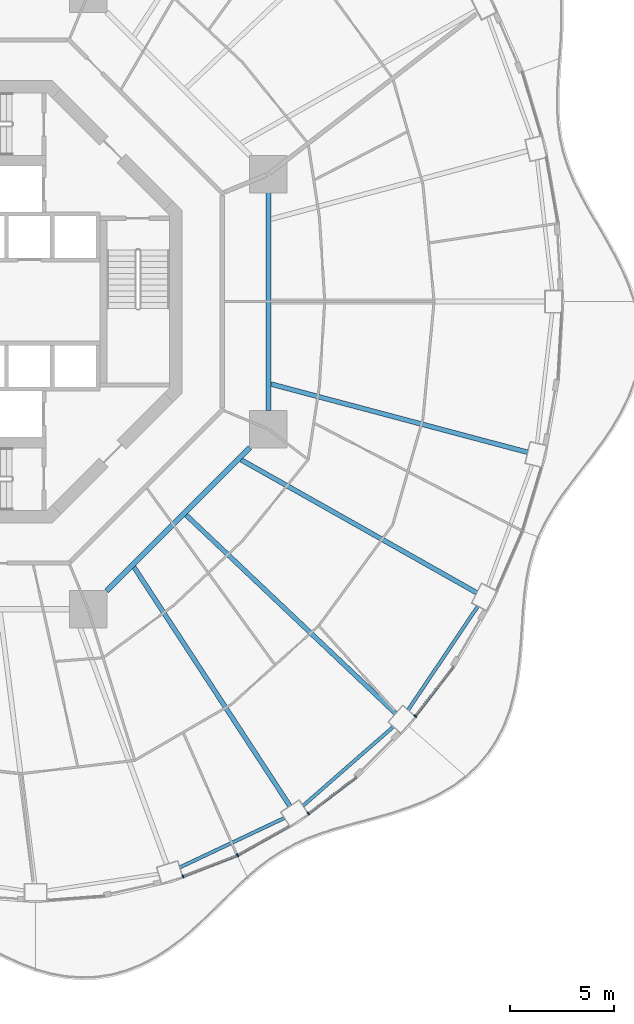
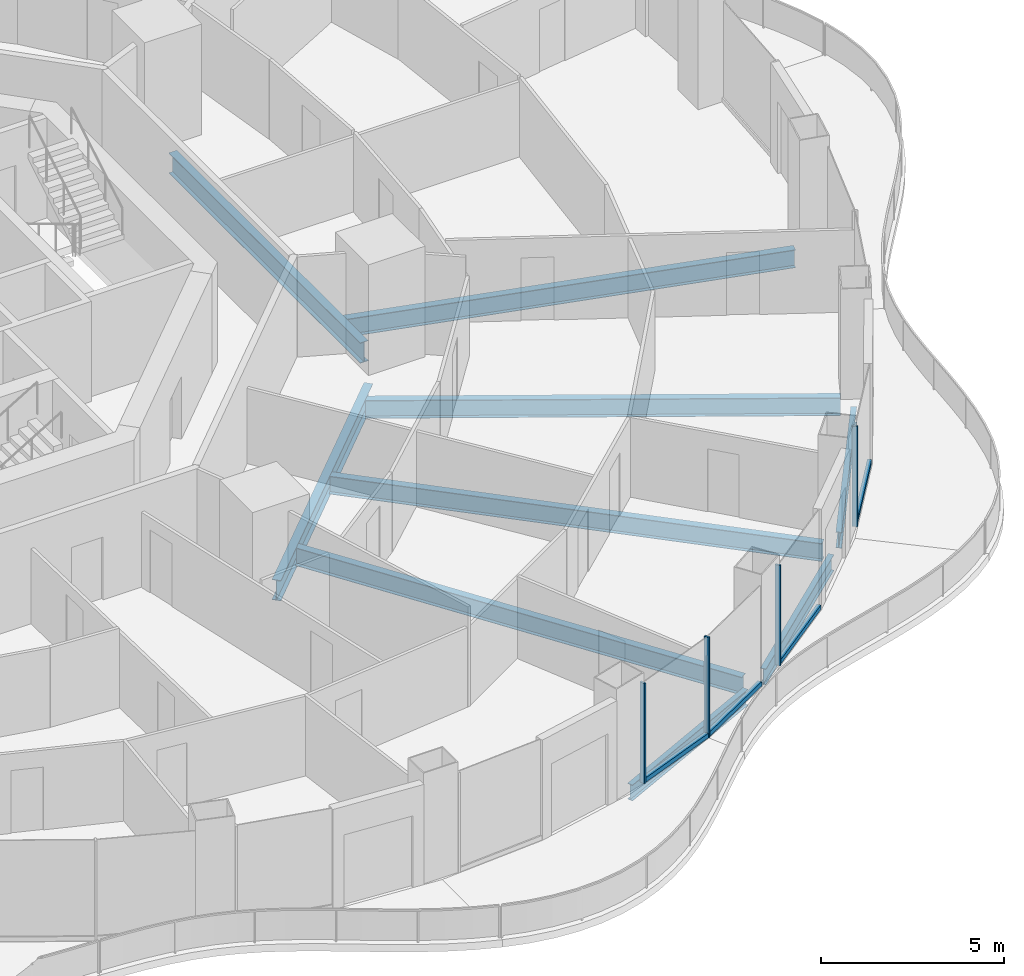
# One storey, part 4 of 19: 9 beams, 8 members, 4 elements without a shape of their own.
"""IFC4 building model written with IfcOpenShell, lengths in metres."""

from ifc_helpers import new_model, si_unit, direction, frame, origin, origin_2d, place, context, subcontext, project, spatial, rectangle, i_section, extrude, material, layer, layer_set, material_profile, profile_set, type_object, element, aggregate, save


model = new_model("IFC4")

# Units and contexts
model_context = context("Model", 3, precision=1e-05, world=origin(), true_north=direction((0.0, 1.0)))
body_context = subcontext(model_context, "Body", "Model", "MODEL_VIEW")
ifc_project = project(units=[si_unit("LENGTHUNIT", "METRE"), si_unit("AREAUNIT", "SQUARE_METRE"), si_unit("VOLUMEUNIT", "CUBIC_METRE"), si_unit("PLANEANGLEUNIT", "RADIAN"), si_unit("MASSUNIT", "GRAM", prefix="KILO")], contexts=[model_context])

# Site, building, storey
site_placement = place(None, origin())
site = spatial("IfcSite", under=ifc_project, at=site_placement, CompositionType="ELEMENT")
building_placement = place(site_placement, origin())
building = spatial("IfcBuilding", under=site, at=building_placement, Name="Nagisa Residences", CompositionType="ELEMENT")
storey_placement = place(building_placement, frame((0.0, 0.0, 202.89990234375)))
storey = spatial("IfcBuildingStorey", under=building, at=storey_placement, Name="L51", CompositionType="ELEMENT", Elevation=202.89990234375)

# Curtain wall, member
ifc_material_1 = material(Name="Concrete-coloured aluminium curtain wall system", Category="concrete")
ifc_layer = layer(ifc_material_1, 0.159912109375)
ifc_layer_set = layer_set([ifc_layer], Name="CW1 CURTAIN WALL")
curtain_wall_type = type_object("IfcCurtainWallType", Name="CW1 CURTAIN WALL", PredefinedType="NOTDEFINED", material=ifc_layer_set)
curtain_wall_1_placement = place(storey_placement, origin())
curtain_wall_1 = element("IfcCurtainWall", 1, at=curtain_wall_1_placement, inside=storey, type_object=curtain_wall_type, Name="cw:CW1:L51:38", PredefinedType="NOTDEFINED")
ifc_material_2 = material(Name="Concrete-coloured aluminium", Category="concrete")
ifc_material_profile_1 = material_profile(ifc_material_2, rectangle(XDim=0.159912109375, YDim=0.06005859375, at=origin_2d()), Name="CW1 MULLION 160x60")
ifc_profile_set_1 = profile_set([ifc_material_profile_1], Name="Concrete-coloured aluminium")
member_type_1 = type_object("IfcMemberType", Name="CW1 MULLION 160x60", PredefinedType="MULLION", material=ifc_profile_set_1)
member_1_placement = place(storey_placement, frame((10.6796875, -27.607421875, 0.0), z_axis=(0.0, 0.0, 1.0), x_axis=(-0.360327770268, 0.932825759707, 0.0)))
member_1 = element("IfcMember", 2, at=member_1_placement, type_object=member_type_1, Name="CW1 mullion", PredefinedType="MULLION", context=body_context, shape_type="SweptSolid", body=[
    extrude(rectangle(XDim=0.159912109375, YDim=0.06005859375, at=origin_2d()), origin(), (0.0, 0.0, 1.0), 3.35009765625),
])

curtain_wall_2_placement = place(storey_placement, origin())
curtain_wall_2 = element("IfcCurtainWall", 3, at=curtain_wall_2_placement, inside=storey, type_object=curtain_wall_type, Name="cw:CW1:L51:39", PredefinedType="NOTDEFINED")
member_2_placement = place(storey_placement, frame((13.297607421875, -26.592529296875, 0.0), z_axis=(0.0, 0.0, 1.0), x_axis=(-0.489376918501, 0.872072377523, 0.0)))
member_2 = element("IfcMember", 4, at=member_2_placement, type_object=member_type_1, Name="CW1 mullion", PredefinedType="MULLION", context=body_context, shape_type="SweptSolid", body=[
    extrude(rectangle(XDim=0.159912109375, YDim=0.06005859375, at=origin_2d()), origin(), (0.0, 0.0, 1.0), 3.35009765625),
])

curtain_wall_3_placement = place(storey_placement, origin())
curtain_wall_3 = element("IfcCurtainWall", 5, at=curtain_wall_3_placement, inside=storey, type_object=curtain_wall_type, Name="cw:CW1:L51:40", PredefinedType="NOTDEFINED")
member_3_placement = place(storey_placement, frame((16.70068359375, -24.591796875, 0.0), z_axis=(0.0, 0.0, 1.0), x_axis=(-0.605255421737, 0.79603132756, 0.0)))
member_3 = element("IfcMember", 6, at=member_3_placement, type_object=member_type_1, Name="CW1 mullion", PredefinedType="MULLION", context=body_context, shape_type="SweptSolid", body=[
    extrude(rectangle(XDim=0.159912109375, YDim=0.06005859375, at=origin_2d()), origin(), (0.0, 0.0, 1.0), 3.35009765625),
])

curtain_wall_4_placement = place(storey_placement, origin())
curtain_wall_4 = element("IfcCurtainWall", 7, at=curtain_wall_4_placement, inside=storey, type_object=curtain_wall_type, Name="cw:CW1:L51:42", PredefinedType="NOTDEFINED")
member_4_placement = place(storey_placement, frame((21.83349609375, -19.909423828125, 0.0), z_axis=(0.0, 0.0, 1.0), x_axis=(-0.792070340816, 0.610429828235, 0.0)))
member_4 = element("IfcMember", 8, at=member_4_placement, type_object=member_type_1, Name="CW1 mullion", PredefinedType="MULLION", context=body_context, shape_type="SweptSolid", body=[
    extrude(rectangle(XDim=0.159912109375, YDim=0.06005859375, at=origin_2d()), origin(), (0.0, 0.0, 1.0), 3.35009765625),
])

# Member
ifc_material_3 = material(Name="Concrete-coloured aluminium", Category="concrete")
ifc_material_profile_2 = material_profile(ifc_material_3, rectangle(XDim=0.1201171875, YDim=0.14990234375, at=origin_2d()), Name="CW1 TRANSOM 120x150")
ifc_profile_set_2 = profile_set([ifc_material_profile_2], Name="Concrete-coloured aluminium")
member_type_2 = type_object("IfcMemberType", Name="CW1 TRANSOM 120x150", PredefinedType="USERDEFINED", material=ifc_profile_set_2)
member_5_placement = place(storey_placement, frame((10.65185546875, -27.618408203125, 0.0751953125), z_axis=(0.932795487898, 0.360406128911, 0.0), x_axis=(-0.360406128911, 0.932795487898, 0.0)))
member_5 = element("IfcMember", 9, at=member_5_placement, type_object=member_type_2, Name="CW1 transom", ObjectType="TRANSOM", PredefinedType="USERDEFINED", context=body_context, shape_type="SweptSolid", body=[
    extrude(rectangle(XDim=0.1201171875, YDim=0.14990234375, at=origin_2d()), origin(), (0.0, 0.0, 1.0), 2.8193359375),
])

aggregate(curtain_wall_1, [member_1, member_5])

member_6_placement = place(storey_placement, frame((13.271484375, -26.607177734375, 0.0751953125), z_axis=(0.872078262455, 0.489366431371, 0.0), x_axis=(-0.489366431371, 0.872078262455, 0.0)))
member_6 = element("IfcMember", 10, at=member_6_placement, type_object=member_type_2, Name="CW1 transom", ObjectType="TRANSOM", PredefinedType="USERDEFINED", context=body_context, shape_type="SweptSolid", body=[
    extrude(rectangle(XDim=0.1201171875, YDim=0.14990234375, at=origin_2d()), origin(), (0.0, 0.0, 1.0), 2.863525390625),
])

aggregate(curtain_wall_2, [member_2, member_6])

member_7_placement = place(storey_placement, frame((16.677001953125, -24.60986328125, 0.0751953125), z_axis=(0.796025072301, 0.60526364856, 0.0), x_axis=(-0.60526364856, 0.796025072301, 0.0)))
member_7 = element("IfcMember", 11, at=member_7_placement, type_object=member_type_2, Name="CW1 transom", ObjectType="TRANSOM", PredefinedType="USERDEFINED", context=body_context, shape_type="SweptSolid", body=[
    extrude(rectangle(XDim=0.1201171875, YDim=0.14990234375, at=origin_2d()), origin(), (0.0, 0.0, 1.0), 2.916748046875),
])

aggregate(curtain_wall_3, [member_3, member_7])

member_8_placement = place(storey_placement, frame((21.815185546875, -19.933349609375, 0.0751953125), z_axis=(0.610398538814, 0.792094453846, 0.0), x_axis=(-0.792094453846, 0.610398538814, 0.0)))
member_8 = element("IfcMember", 12, at=member_8_placement, type_object=member_type_2, Name="CW1 transom", ObjectType="TRANSOM", PredefinedType="USERDEFINED", context=body_context, shape_type="SweptSolid", body=[
    extrude(rectangle(XDim=0.1201171875, YDim=0.14990234375, at=origin_2d()), origin(), (0.0, 0.0, 1.0), 3.035400390625),
])

aggregate(curtain_wall_4, [member_4, member_8])

# Beams
ifc_material_4 = material(Name="Steel ASTM A572 Gr 50", Category="steel")
ifc_material_profile_3 = material_profile(ifc_material_4, i_section(OverallWidth=0.25390625, OverallDepth=0.68408203125, WebThickness=0.012451171875, FlangeThickness=0.018798828125, at=origin_2d()), Name="W690x140")
ifc_profile_set_3 = profile_set([ifc_material_profile_3], Name="Steel ASTM A572 Gr 50")
beam_type_1 = type_object("IfcBeamType", Name="Inner ring beam W690x140", PredefinedType="BEAM", material=ifc_profile_set_3)
beam_1_placement = place(storey_placement, frame((7.0087890625, -13.896240234375, -0.601806640625), z_axis=(0.707106781187, 0.707106781187, 0.0), x_axis=(-0.707106781187, 0.707106781187, 0.0)))
element("IfcBeam", 13, at=beam_1_placement, inside=storey, type_object=beam_type_1, Name="beam:L51:ib7", PredefinedType="BEAM", context=body_context, shape_type="SweptSolid", body=[
    extrude(i_section(OverallWidth=0.25390625, OverallDepth=0.68408203125, WebThickness=0.012451171875, FlangeThickness=0.018798828125, at=origin_2d()), origin(), (0.0, 0.0, 1.0), 9.740234375),
])
beam_2_placement = place(storey_placement, frame((14.781982421875, -5.242919921875, -0.601806640625), z_axis=(0.0, 1.0, 0.0), x_axis=(-1.0, 0.0, 0.0)))
element("IfcBeam", 14, at=beam_2_placement, inside=storey, type_object=beam_type_1, Name="beam:L51:ib8", PredefinedType="BEAM", context=body_context, shape_type="SweptSolid", body=[
    extrude(i_section(OverallWidth=0.25390625, OverallDepth=0.68408203125, WebThickness=0.012451171875, FlangeThickness=0.018798828125, at=origin_2d()), origin(), (0.0, 0.0, 1.0), 10.48583984375),
])
ifc_material_5 = material(Name="Steel ASTM A572 Gr 50", Category="steel")
ifc_material_profile_4 = material_profile(ifc_material_5, i_section(OverallWidth=0.166015625, OverallDepth=0.534912109375, WebThickness=0.01025390625, FlangeThickness=0.0166015625, at=origin_2d()), Name="W530x85")
ifc_profile_set_4 = profile_set([ifc_material_profile_4], Name="Steel ASTM A572 Gr 50")
beam_type_2 = type_object("IfcBeamType", Name="Perimeter ring beam W530x85", PredefinedType="BEAM", material=ifc_profile_set_4)
beam_3_placement = place(storey_placement, frame((10.522705078125, -27.17919921875, -0.52734375), z_axis=(0.904157325884, 0.427199637232, 0.0), x_axis=(-0.427199637232, 0.904157325884, 0.0)))
element("IfcBeam", 15, at=beam_3_placement, inside=storey, type_object=beam_type_2, Name="beam:L51:pb20", PredefinedType="BEAM", context=body_context, shape_type="SweptSolid", body=[
    extrude(i_section(OverallWidth=0.166015625, OverallDepth=0.534912109375, WebThickness=0.01025390625, FlangeThickness=0.0166015625, at=origin_2d()), origin(), (0.0, 0.0, 1.0), 5.56396484375),
])
beam_4_placement = place(storey_placement, frame((16.440185546875, -24.220947265625, -0.52734375), z_axis=(0.752461486776, 0.658636250838, 0.0), x_axis=(-0.658636250838, 0.752461486776, 0.0)))
element("IfcBeam", 16, at=beam_4_placement, inside=storey, type_object=beam_type_2, Name="beam:L51:pb21", PredefinedType="BEAM", context=body_context, shape_type="SweptSolid", body=[
    extrude(i_section(OverallWidth=0.166015625, OverallDepth=0.534912109375, WebThickness=0.01025390625, FlangeThickness=0.0166015625, at=origin_2d()), origin(), (0.0, 0.0, 1.0), 5.776611328125),
])
beam_5_placement = place(storey_placement, frame((21.487548828125, -19.62060546875, -0.52734375), z_axis=(0.558152301307, 0.829738518177, 0.0), x_axis=(-0.829738518177, 0.558152301307, 0.0)))
element("IfcBeam", 17, at=beam_5_placement, inside=storey, type_object=beam_type_2, Name="beam:L51:pb22", PredefinedType="BEAM", context=body_context, shape_type="SweptSolid", body=[
    extrude(i_section(OverallWidth=0.166015625, OverallDepth=0.534912109375, WebThickness=0.01025390625, FlangeThickness=0.0166015625, at=origin_2d()), origin(), (0.0, 0.0, 1.0), 6.013916015625),
])
ifc_material_6 = material(Name="Steel ASTM A572 Gr 50", Category="steel")
ifc_material_profile_5 = material_profile(ifc_material_6, i_section(OverallWidth=0.22802734375, OverallDepth=0.60302734375, WebThickness=0.010498046875, FlangeThickness=0.014892578125, at=origin_2d()), Name="W610x101")
ifc_profile_set_5 = profile_set([ifc_material_profile_5], Name="Steel ASTM A572 Gr 50")
beam_type_3 = type_object("IfcBeamType", Name="Radial beam W610x101", PredefinedType="BEAM", material=ifc_profile_set_5)
beam_6_placement = place(storey_placement, frame((15.816162109375, -24.234375, -0.5615234375), z_axis=(-0.546541244511, 0.837432187135, 0.0), x_axis=(-0.837432187135, -0.546541244511, 0.0)))
element("IfcBeam", 18, at=beam_6_placement, inside=storey, type_object=beam_type_3, Name="beam:L51:rb21", PredefinedType="BEAM", context=body_context, shape_type="SweptSolid", body=[
    extrude(i_section(OverallWidth=0.22802734375, OverallDepth=0.60302734375, WebThickness=0.010498046875, FlangeThickness=0.014892578125, at=origin_2d()), origin(), (0.0, 0.0, 1.0), 13.72412109375),
])
beam_7_placement = place(storey_placement, frame((20.89501953125, -19.785400390625, -0.5615234375), z_axis=(-0.726119962477, 0.687568033064, 0.0), x_axis=(-0.687568033064, -0.726119962477, 0.0)))
element("IfcBeam", 19, at=beam_7_placement, inside=storey, type_object=beam_type_3, Name="beam:L51:rb22", PredefinedType="BEAM", context=body_context, shape_type="SweptSolid", body=[
    extrude(i_section(OverallWidth=0.22802734375, OverallDepth=0.60302734375, WebThickness=0.010498046875, FlangeThickness=0.014892578125, at=origin_2d()), origin(), (0.0, 0.0, 1.0), 13.88134765625),
])
beam_8_placement = place(storey_placement, frame((24.789306640625, -13.98828125, -0.5615234375), z_axis=(-0.870904520395, 0.491452252366, 0.0), x_axis=(-0.491452252366, -0.870904520395, 0.0)))
element("IfcBeam", 20, at=beam_8_placement, inside=storey, type_object=beam_type_3, Name="beam:L51:rb23", PredefinedType="BEAM", context=body_context, shape_type="SweptSolid", body=[
    extrude(i_section(OverallWidth=0.22802734375, OverallDepth=0.60302734375, WebThickness=0.010498046875, FlangeThickness=0.014892578125, at=origin_2d()), origin(), (0.0, 0.0, 1.0), 13.007080078125),
])
beam_9_placement = place(storey_placement, frame((27.23583984375, -7.239990234375, -0.5615234375), z_axis=(-0.966436061719, 0.256907256826, 0.0), x_axis=(-0.256907256826, -0.966436061719, 0.0)))
element("IfcBeam", 21, at=beam_9_placement, inside=storey, type_object=beam_type_3, Name="beam:L51:rb24", PredefinedType="BEAM", context=body_context, shape_type="SweptSolid", body=[
    extrude(i_section(OverallWidth=0.22802734375, OverallDepth=0.60302734375, WebThickness=0.010498046875, FlangeThickness=0.014892578125, at=origin_2d()), origin(), (0.0, 0.0, 1.0), 12.77490234375),
])

save(model, "model.ifc")
